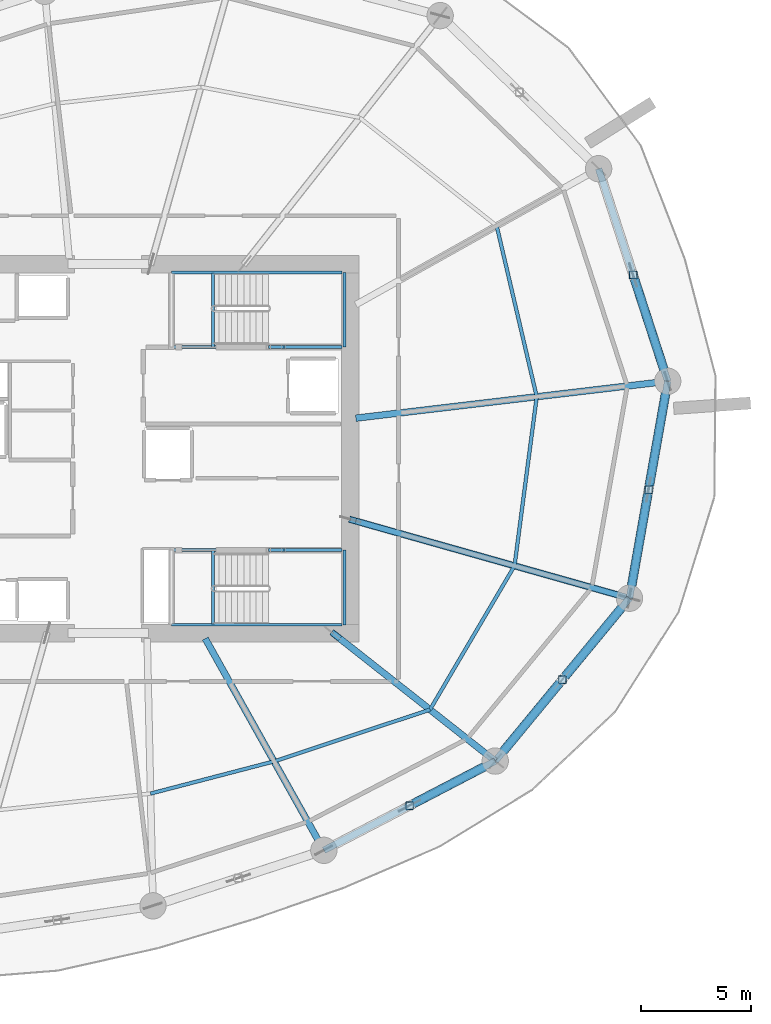
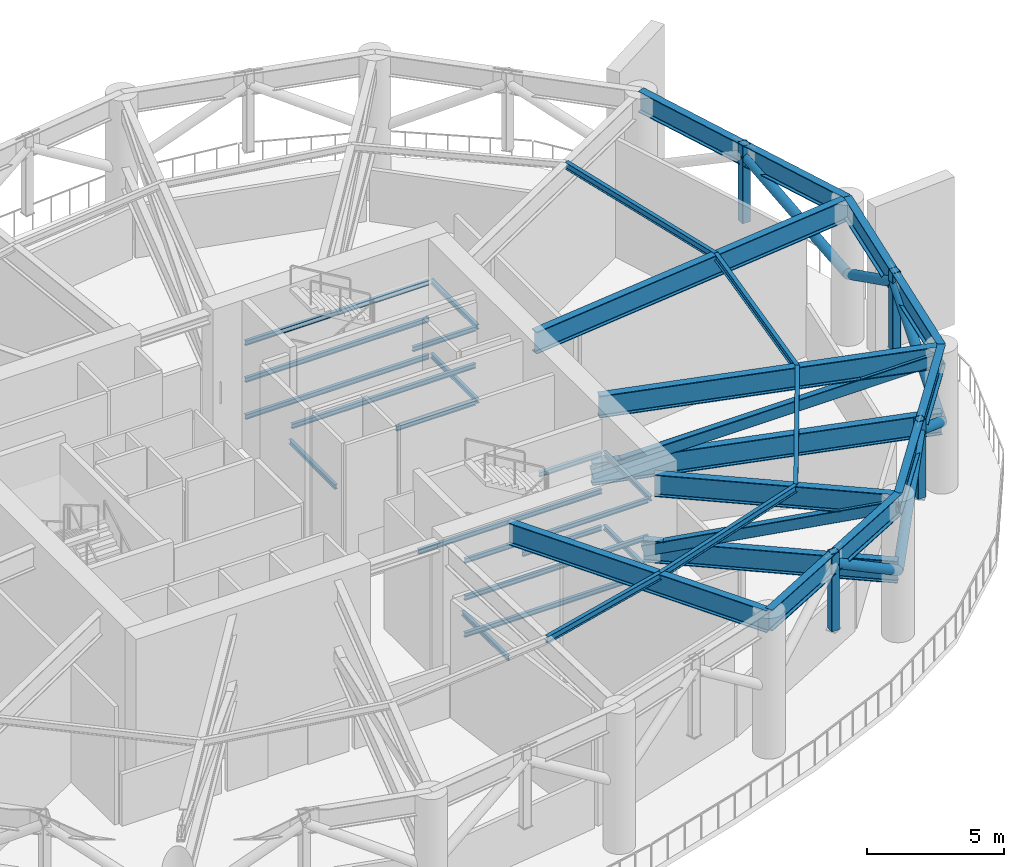
# One storey, part 6 of 19: 33 beams, 12 members.
"""IFC4 building model written with IfcOpenShell, lengths in metres."""

from ifc_helpers import new_model, si_unit, direction, frame, origin, origin_2d, place, context, subcontext, project, spatial, hollow_rectangle, hollow_circle, i_section, extrude, material, material_profile, profile_set, type_object, element, save


model = new_model("IFC4")

# Units and contexts
model_context = context("Model", 3, precision=1e-05, world=origin(), true_north=direction((0.0, 1.0)))
body_context = subcontext(model_context, "Body", "Model", "MODEL_VIEW")
ifc_project = project(units=[si_unit("LENGTHUNIT", "METRE"), si_unit("AREAUNIT", "SQUARE_METRE"), si_unit("VOLUMEUNIT", "CUBIC_METRE"), si_unit("PLANEANGLEUNIT", "RADIAN"), si_unit("MASSUNIT", "GRAM", prefix="KILO")], contexts=[model_context])

# Site, building, storey
site_placement = place(None, origin())
site = spatial("IfcSite", under=ifc_project, at=site_placement, CompositionType="ELEMENT")
building_placement = place(site_placement, origin())
building = spatial("IfcBuilding", under=site, at=building_placement, Name="Kazma Halo Residences", CompositionType="ELEMENT")
storey_placement = place(building_placement, frame((0.0, 0.0, 116.39990234375)))
storey = spatial("IfcBuildingStorey", under=building, at=storey_placement, Name="L29", CompositionType="ELEMENT", Elevation=116.39990234375)

# Beams
ifc_material = material(Name="Steel S355", Category="steel")
ifc_material_profile_1 = material_profile(ifc_material, i_section(OverallWidth=0.30908203125, OverallDepth=0.931884765625, WebThickness=0.02099609375, FlangeThickness=0.034423828125, FilletRadius=0.02392578125, at=origin_2d()), Name="W920x313")
ifc_profile_set_1 = profile_set([ifc_material_profile_1], Name="Steel S355")
beam_type_1 = type_object("IfcBeamType", Name="BM-BELT-W920A", PredefinedType="BEAM", material=ifc_profile_set_1)
beam_1_placement = place(storey_placement, frame((58.242431640625, 23.7109375, 5.814208984375), z_axis=(0.886952216375, 0.46186119762, 0.0), x_axis=(-0.46186119762, 0.886952216375, 0.0)))
element("IfcBeam", 1, at=beam_1_placement, inside=storey, type_object=beam_type_1, Name="L29 perimeter ring beam 13", PredefinedType="BEAM", context=body_context, shape_type="SweptSolid", body=[
    extrude(i_section(OverallWidth=0.30908203125, OverallDepth=0.931884765625, WebThickness=0.02099609375, FlangeThickness=0.034423828125, FilletRadius=0.02392578125, at=origin_2d()), origin(), (0.0, 0.0, 1.0), 8.797607421875),
])
beam_2_placement = place(storey_placement, frame((66.04541015625, 27.774169921875, 5.814208984375), z_axis=(0.636018081662, 0.771674153901, 0.0), x_axis=(-0.771674153901, 0.636018081662, 0.0)))
element("IfcBeam", 2, at=beam_2_placement, inside=storey, type_object=beam_type_1, Name="L29 perimeter ring beam 14", PredefinedType="BEAM", context=body_context, shape_type="SweptSolid", body=[
    extrude(i_section(OverallWidth=0.30908203125, OverallDepth=0.931884765625, WebThickness=0.02099609375, FlangeThickness=0.034423828125, FilletRadius=0.02392578125, at=origin_2d()), origin(), (0.0, 0.0, 1.0), 9.60693359375),
])
beam_3_placement = place(storey_placement, frame((72.155517578125, 35.1875, 5.814208984375), z_axis=(0.1736478634, 0.984807808426, 0.0), x_axis=(-0.984807808426, 0.1736478634, 0.0)))
element("IfcBeam", 3, at=beam_3_placement, inside=storey, type_object=beam_type_1, Name="L29 perimeter ring beam 15", PredefinedType="BEAM", context=body_context, shape_type="SweptSolid", body=[
    extrude(i_section(OverallWidth=0.30908203125, OverallDepth=0.931884765625, WebThickness=0.02099609375, FlangeThickness=0.034423828125, FilletRadius=0.02392578125, at=origin_2d()), origin(), (0.0, 0.0, 1.0), 10.030029296875),
])
beam_4_placement = place(storey_placement, frame((73.897216796875, 45.065185546875, 5.814208984375), z_axis=(-0.30902042344, 0.951055402118, 0.0), x_axis=(-0.951055402118, -0.30902042344, 0.0)))
element("IfcBeam", 4, at=beam_4_placement, inside=storey, type_object=beam_type_1, Name="L29 perimeter ring beam 16", PredefinedType="BEAM", context=body_context, shape_type="SweptSolid", body=[
    extrude(i_section(OverallWidth=0.30908203125, OverallDepth=0.931884765625, WebThickness=0.02099609375, FlangeThickness=0.034423828125, FilletRadius=0.02392578125, at=origin_2d()), origin(), (0.0, 0.0, 1.0), 10.175048828125),
])
ifc_material_profile_2 = material_profile(ifc_material, i_section(OverallWidth=0.300048828125, OverallDepth=0.98193359375, WebThickness=0.0166015625, FlangeThickness=0.032958984375, FilletRadius=0.02587890625, at=origin_2d()), Name="W1000x296")
ifc_profile_set_2 = profile_set([ifc_material_profile_2], Name="Steel S355")
beam_type_2 = type_object("IfcBeamType", Name="BM-OUTR-W1000C", PredefinedType="BEAM", material=ifc_profile_set_2)
beam_5_placement = place(storey_placement, frame((52.84423828125, 33.35009765625, 5.7890625), z_axis=(0.488621537567, -0.872495841266, 0.0), x_axis=(0.872495841266, 0.488621537567, 0.0)))
element("IfcBeam", 5, at=beam_5_placement, inside=storey, type_object=beam_type_2, Name="L29 radial floor beam 13", PredefinedType="BEAM", context=body_context, shape_type="SweptSolid", body=[
    extrude(i_section(OverallWidth=0.300048828125, OverallDepth=0.98193359375, WebThickness=0.0166015625, FlangeThickness=0.032958984375, FilletRadius=0.02587890625, at=origin_2d()), origin(), (0.0, 0.0, 1.0), 11.0478515625),
])
beam_6_placement = place(storey_placement, frame((58.972412109375, 33.35009765625, 5.7890625), z_axis=(0.78531554506, -0.619095707211, 0.0), x_axis=(0.619095707211, 0.78531554506, 0.0)))
element("IfcBeam", 6, at=beam_6_placement, inside=storey, type_object=beam_type_2, Name="L29 radial floor beam 14", PredefinedType="BEAM", context=body_context, shape_type="SweptSolid", body=[
    extrude(i_section(OverallWidth=0.300048828125, OverallDepth=0.98193359375, WebThickness=0.0166015625, FlangeThickness=0.032958984375, FilletRadius=0.02587890625, at=origin_2d()), origin(), (0.0, 0.0, 1.0), 9.006591796875),
])
beam_7_placement = place(storey_placement, frame((59.699951171875, 38.7001953125, 5.7890625), z_axis=(0.962458016603, -0.271430592005, 0.0), x_axis=(0.271430592005, 0.962458016603, 0.0)))
element("IfcBeam", 7, at=beam_7_placement, inside=storey, type_object=beam_type_2, Name="L29 radial floor beam 15", PredefinedType="BEAM", context=body_context, shape_type="SweptSolid", body=[
    extrude(i_section(OverallWidth=0.300048828125, OverallDepth=0.98193359375, WebThickness=0.0166015625, FlangeThickness=0.032958984375, FilletRadius=0.02587890625, at=origin_2d()), origin(), (0.0, 0.0, 1.0), 12.94140625),
])
beam_8_placement = place(storey_placement, frame((59.699951171875, 43.384765625, 5.7890625), z_axis=(0.993067944202, 0.117541729604, 0.0), x_axis=(-0.117541729604, 0.993067944202, 0.0)))
element("IfcBeam", 8, at=beam_8_placement, inside=storey, type_object=beam_type_2, Name="L29 radial floor beam 16", PredefinedType="BEAM", context=body_context, shape_type="SweptSolid", body=[
    extrude(i_section(OverallWidth=0.300048828125, OverallDepth=0.98193359375, WebThickness=0.0166015625, FlangeThickness=0.032958984375, FilletRadius=0.02587890625, at=origin_2d()), origin(), (0.0, 0.0, 1.0), 14.29638671875),
])
beam_9_placement = place(storey_placement, frame((58.6552734375, 33.60009765625, 2.820068359375), z_axis=(0.785316222949, -0.619094847315, 0.0), x_axis=(0.619094847315, 0.785316222949, 0.0)))
element("IfcBeam", 9, at=beam_9_placement, inside=storey, type_object=beam_type_2, Name="L29 radial outrigger bottom chord 07", PredefinedType="BEAM", context=body_context, shape_type="SweptSolid", body=[
    extrude(i_section(OverallWidth=0.300048828125, OverallDepth=0.98193359375, WebThickness=0.0166015625, FlangeThickness=0.032958984375, FilletRadius=0.02587890625, at=origin_2d()), origin(), (0.0, 0.0, 1.0), 9.410400390625),
])
beam_10_placement = place(storey_placement, frame((59.449951171875, 38.770751953125, 2.820068359375), z_axis=(0.962456985326, -0.271434248754, 0.0), x_axis=(0.271434248754, 0.962456985326, 0.0)))
element("IfcBeam", 10, at=beam_10_placement, inside=storey, type_object=beam_type_2, Name="L29 radial outrigger bottom chord 08", PredefinedType="BEAM", context=body_context, shape_type="SweptSolid", body=[
    extrude(i_section(OverallWidth=0.300048828125, OverallDepth=0.98193359375, WebThickness=0.0166015625, FlangeThickness=0.032958984375, FilletRadius=0.02587890625, at=origin_2d()), origin(), (0.0, 0.0, 1.0), 13.201171875),
])
ifc_material_profile_3 = material_profile(ifc_material, i_section(OverallWidth=0.1650390625, OverallDepth=0.31005859375, WebThickness=0.005859375, FlangeThickness=0.009765625, FilletRadius=0.011962890625, at=origin_2d()), Name="W310x38.7")
ifc_profile_set_3 = profile_set([ifc_material_profile_3], Name="Steel S355")
beam_type_3 = type_object("IfcBeamType", Name="BM-SEC-W310B", PredefinedType="JOIST", material=ifc_profile_set_3)
beam_11_placement = place(storey_placement, frame((50.35302734375, 26.29345703125, 6.125), z_axis=(0.967651177663, 0.252291891206, 0.0), x_axis=(-0.252291891206, 0.967651177663, 0.0)))
element("IfcBeam", 11, at=beam_11_placement, inside=storey, type_object=beam_type_3, Name="L29 circumferential floor joist 12", PredefinedType="JOIST", context=body_context, shape_type="SweptSolid", body=[
    extrude(i_section(OverallWidth=0.1650390625, OverallDepth=0.31005859375, WebThickness=0.005859375, FlangeThickness=0.009765625, FilletRadius=0.011962890625, at=origin_2d()), origin(), (0.0, 0.0, 1.0), 5.81005859375),
])
beam_12_placement = place(storey_placement, frame((55.97509765625, 27.75927734375, 6.125), z_axis=(0.949077463311, 0.315042804448, 0.0), x_axis=(-0.315042804448, 0.949077463311, 0.0)))
element("IfcBeam", 12, at=beam_12_placement, inside=storey, type_object=beam_type_3, Name="L29 circumferential floor joist 13", PredefinedType="JOIST", context=body_context, shape_type="SweptSolid", body=[
    extrude(i_section(OverallWidth=0.1650390625, OverallDepth=0.31005859375, WebThickness=0.005859375, FlangeThickness=0.009765625, FilletRadius=0.011962890625, at=origin_2d()), origin(), (0.0, 0.0, 1.0), 7.48046875),
])
beam_13_placement = place(storey_placement, frame((63.07470703125, 30.115966796875, 6.125), z_axis=(0.506850129909, 0.862034190628, 0.0), x_axis=(-0.862034190628, 0.506850129909, 0.0)))
element("IfcBeam", 13, at=beam_13_placement, inside=storey, type_object=beam_type_3, Name="L29 circumferential floor joist 14", PredefinedType="JOIST", context=body_context, shape_type="SweptSolid", body=[
    extrude(i_section(OverallWidth=0.1650390625, OverallDepth=0.31005859375, WebThickness=0.005859375, FlangeThickness=0.009765625, FilletRadius=0.011962890625, at=origin_2d()), origin(), (0.0, 0.0, 1.0), 7.5947265625),
])
beam_14_placement = place(storey_placement, frame((66.924072265625, 36.662841796875, 6.125), z_axis=(0.130144534368, 0.991495032854, 0.0), x_axis=(-0.991495032854, 0.130144534368, 0.0)))
element("IfcBeam", 14, at=beam_14_placement, inside=storey, type_object=beam_type_3, Name="L29 circumferential floor joist 15", PredefinedType="JOIST", context=body_context, shape_type="SweptSolid", body=[
    extrude(i_section(OverallWidth=0.1650390625, OverallDepth=0.31005859375, WebThickness=0.005859375, FlangeThickness=0.009765625, FilletRadius=0.011962890625, at=origin_2d()), origin(), (0.0, 0.0, 1.0), 7.762451171875),
])
beam_15_placement = place(storey_placement, frame((67.934326171875, 44.359375, 6.125), z_axis=(-0.228143824758, 0.973627441697, 0.0), x_axis=(-0.973627441697, -0.228143824758, 0.0)))
element("IfcBeam", 15, at=beam_15_placement, inside=storey, type_object=beam_type_3, Name="L29 circumferential floor joist 16", PredefinedType="JOIST", context=body_context, shape_type="SweptSolid", body=[
    extrude(i_section(OverallWidth=0.1650390625, OverallDepth=0.31005859375, WebThickness=0.005859375, FlangeThickness=0.009765625, FilletRadius=0.011962890625, at=origin_2d()), origin(), (0.0, 0.0, 1.0), 7.993896484375),
])
ifc_material_profile_4 = material_profile(ifc_material, i_section(OverallWidth=0.133056640625, OverallDepth=0.20703125, WebThickness=0.005859375, FlangeThickness=0.00830078125, FilletRadius=0.010009765625, at=origin_2d()), Name="W200x26.6")
ifc_profile_set_4 = profile_set([ifc_material_profile_4], Name="Steel S355")
beam_type_4 = type_object("IfcBeamType", Name="BM-TRIM-W200", PredefinedType="BEAM", material=ifc_profile_set_4)
for number, where, z_axis, x_axis, name in (
    (16, (53.199951171875, 46.6201171875, -0.389892578125), (0.0, 1.0, 0.0), (-1.0, 0.0, 0.0), "L29 ST-02 floor landing support beam"),
    (17, (53.199951171875, 34.0, -0.389892578125), (0.0, 1.0, 0.0), (-1.0, 0.0, 0.0), "L29 ST-03 floor landing support beam"),
):
    element("IfcBeam", number, at=place(storey_placement, frame(where, z_axis=z_axis, x_axis=x_axis)), inside=storey, type_object=beam_type_4, Name=name, PredefinedType="BEAM", context=body_context, shape_type="SweptSolid", body=[
        extrude(i_section(OverallWidth=0.133056640625, OverallDepth=0.20703125, WebThickness=0.005859375, FlangeThickness=0.00830078125, FilletRadius=0.010009765625, at=origin_2d()), origin(), (0.0, 0.0, 1.0), 3.3798828125),
    ])
beam_16_placement = place(storey_placement, frame((51.31005859375, 50.02001953125, 1.34521484375), z_axis=(1.0, 0.0, 0.0), x_axis=(0.0, 1.0, 0.0)))
element("IfcBeam", 18, at=beam_16_placement, inside=storey, type_object=beam_type_4, Name="L29 ST-02 landing north wall ledger", PredefinedType="BEAM", context=body_context, shape_type="SweptSolid", body=[
    extrude(i_section(OverallWidth=0.133056640625, OverallDepth=0.20703125, WebThickness=0.005859375, FlangeThickness=0.00830078125, FilletRadius=0.010009765625, at=origin_2d()), origin(), (0.0, 0.0, 1.0), 7.760009765625),
])
beam_17_placement = place(storey_placement, frame((55.719970703125, 46.6201171875, 1.34521484375), z_axis=(1.0, 0.0, 0.0), x_axis=(0.0, 1.0, 0.0)))
element("IfcBeam", 19, at=beam_17_placement, inside=storey, type_object=beam_type_4, Name="L29 ST-02 landing south wall ledger", PredefinedType="BEAM", context=body_context, shape_type="SweptSolid", body=[
    extrude(i_section(OverallWidth=0.133056640625, OverallDepth=0.20703125, WebThickness=0.005859375, FlangeThickness=0.00830078125, FilletRadius=0.010009765625, at=origin_2d()), origin(), (0.0, 0.0, 1.0), 3.35009765625),
])
beam_18_placement = place(storey_placement, frame((59.18994140625, 46.6201171875, 1.34521484375), z_axis=(0.0, 1.0, 0.0), x_axis=(-1.0, 0.0, 0.0)))
element("IfcBeam", 20, at=beam_18_placement, inside=storey, type_object=beam_type_4, Name="L29 ST-02 landing end wall ledger", PredefinedType="BEAM", context=body_context, shape_type="SweptSolid", body=[
    extrude(i_section(OverallWidth=0.133056640625, OverallDepth=0.20703125, WebThickness=0.005859375, FlangeThickness=0.00830078125, FilletRadius=0.010009765625, at=origin_2d()), origin(), (0.0, 0.0, 1.0), 3.39990234375),
])
for number, where, z_axis, x_axis, name in (
    (21, (51.31005859375, 50.02001953125, 2.9951171875), (1.0, 0.0, 0.0), (0.0, 1.0, 0.0), "L29 ST-02 landing north wall ledger"),
    (22, (51.31005859375, 46.6201171875, 2.9951171875), (1.0, 0.0, 0.0), (0.0, 1.0, 0.0), "L29 ST-02 landing south wall ledger"),
    (23, (51.31005859375, 50.02001953125, 4.64501953125), (1.0, 0.0, 0.0), (0.0, 1.0, 0.0), "L29 ST-02 landing north wall ledger"),
):
    element("IfcBeam", number, at=place(storey_placement, frame(where, z_axis=z_axis, x_axis=x_axis)), inside=storey, type_object=beam_type_4, Name=name, PredefinedType="BEAM", context=body_context, shape_type="SweptSolid", body=[
        extrude(i_section(OverallWidth=0.133056640625, OverallDepth=0.20703125, WebThickness=0.005859375, FlangeThickness=0.00830078125, FilletRadius=0.010009765625, at=origin_2d()), origin(), (0.0, 0.0, 1.0), 7.760009765625),
    ])
beam_19_placement = place(storey_placement, frame((56.419921875, 46.6201171875, 4.64501953125), z_axis=(1.0, 0.0, 0.0), x_axis=(0.0, 1.0, 0.0)))
element("IfcBeam", 24, at=beam_19_placement, inside=storey, type_object=beam_type_4, Name="L29 ST-02 landing south wall ledger", PredefinedType="BEAM", context=body_context, shape_type="SweptSolid", body=[
    extrude(i_section(OverallWidth=0.133056640625, OverallDepth=0.20703125, WebThickness=0.005859375, FlangeThickness=0.00830078125, FilletRadius=0.010009765625, at=origin_2d()), origin(), (0.0, 0.0, 1.0), 2.650146484375),
])
beam_20_placement = place(storey_placement, frame((59.18994140625, 46.6201171875, 4.64501953125), z_axis=(0.0, 1.0, 0.0), x_axis=(-1.0, 0.0, 0.0)))
element("IfcBeam", 25, at=beam_20_placement, inside=storey, type_object=beam_type_4, Name="L29 ST-02 landing end wall ledger", PredefinedType="BEAM", context=body_context, shape_type="SweptSolid", body=[
    extrude(i_section(OverallWidth=0.133056640625, OverallDepth=0.20703125, WebThickness=0.005859375, FlangeThickness=0.00830078125, FilletRadius=0.010009765625, at=origin_2d()), origin(), (0.0, 0.0, 1.0), 3.39990234375),
])
beam_21_placement = place(storey_placement, frame((51.31005859375, 33.97998046875, 1.34521484375), z_axis=(1.0, 0.0, 0.0), x_axis=(0.0, 1.0, 0.0)))
element("IfcBeam", 26, at=beam_21_placement, inside=storey, type_object=beam_type_4, Name="L29 ST-03 landing south wall ledger", PredefinedType="BEAM", context=body_context, shape_type="SweptSolid", body=[
    extrude(i_section(OverallWidth=0.133056640625, OverallDepth=0.20703125, WebThickness=0.005859375, FlangeThickness=0.00830078125, FilletRadius=0.010009765625, at=origin_2d()), origin(), (0.0, 0.0, 1.0), 7.760009765625),
])
beam_22_placement = place(storey_placement, frame((55.719970703125, 37.3798828125, 1.34521484375), z_axis=(1.0, 0.0, 0.0), x_axis=(0.0, 1.0, 0.0)))
element("IfcBeam", 27, at=beam_22_placement, inside=storey, type_object=beam_type_4, Name="L29 ST-03 landing north wall ledger", PredefinedType="BEAM", context=body_context, shape_type="SweptSolid", body=[
    extrude(i_section(OverallWidth=0.133056640625, OverallDepth=0.20703125, WebThickness=0.005859375, FlangeThickness=0.00830078125, FilletRadius=0.010009765625, at=origin_2d()), origin(), (0.0, 0.0, 1.0), 3.35009765625),
])
beam_23_placement = place(storey_placement, frame((59.18994140625, 33.97998046875, 1.34521484375), z_axis=(0.0, 1.0, 0.0), x_axis=(-1.0, 0.0, 0.0)))
element("IfcBeam", 28, at=beam_23_placement, inside=storey, type_object=beam_type_4, Name="L29 ST-03 landing end wall ledger", PredefinedType="BEAM", context=body_context, shape_type="SweptSolid", body=[
    extrude(i_section(OverallWidth=0.133056640625, OverallDepth=0.20703125, WebThickness=0.005859375, FlangeThickness=0.00830078125, FilletRadius=0.010009765625, at=origin_2d()), origin(), (0.0, 0.0, 1.0), 3.39990234375),
])
for number, where, z_axis, x_axis, name in (
    (29, (51.31005859375, 33.97998046875, 2.9951171875), (1.0, 0.0, 0.0), (0.0, 1.0, 0.0), "L29 ST-03 landing south wall ledger"),
    (30, (51.31005859375, 37.3798828125, 2.9951171875), (1.0, 0.0, 0.0), (0.0, 1.0, 0.0), "L29 ST-03 landing north wall ledger"),
    (31, (51.31005859375, 33.97998046875, 4.64501953125), (1.0, 0.0, 0.0), (0.0, 1.0, 0.0), "L29 ST-03 landing south wall ledger"),
):
    element("IfcBeam", number, at=place(storey_placement, frame(where, z_axis=z_axis, x_axis=x_axis)), inside=storey, type_object=beam_type_4, Name=name, PredefinedType="BEAM", context=body_context, shape_type="SweptSolid", body=[
        extrude(i_section(OverallWidth=0.133056640625, OverallDepth=0.20703125, WebThickness=0.005859375, FlangeThickness=0.00830078125, FilletRadius=0.010009765625, at=origin_2d()), origin(), (0.0, 0.0, 1.0), 7.760009765625),
    ])
beam_24_placement = place(storey_placement, frame((56.419921875, 37.3798828125, 4.64501953125), z_axis=(1.0, 0.0, 0.0), x_axis=(0.0, 1.0, 0.0)))
element("IfcBeam", 32, at=beam_24_placement, inside=storey, type_object=beam_type_4, Name="L29 ST-03 landing north wall ledger", PredefinedType="BEAM", context=body_context, shape_type="SweptSolid", body=[
    extrude(i_section(OverallWidth=0.133056640625, OverallDepth=0.20703125, WebThickness=0.005859375, FlangeThickness=0.00830078125, FilletRadius=0.010009765625, at=origin_2d()), origin(), (0.0, 0.0, 1.0), 2.650146484375),
])
beam_25_placement = place(storey_placement, frame((59.18994140625, 33.97998046875, 4.64501953125), z_axis=(0.0, 1.0, 0.0), x_axis=(-1.0, 0.0, 0.0)))
element("IfcBeam", 33, at=beam_25_placement, inside=storey, type_object=beam_type_4, Name="L29 ST-03 landing end wall ledger", PredefinedType="BEAM", context=body_context, shape_type="SweptSolid", body=[
    extrude(i_section(OverallWidth=0.133056640625, OverallDepth=0.20703125, WebThickness=0.005859375, FlangeThickness=0.00830078125, FilletRadius=0.010009765625, at=origin_2d()), origin(), (0.0, 0.0, 1.0), 3.39990234375),
])

# Members
ifc_material_profile_5 = material_profile(ifc_material, hollow_rectangle(XDim=0.300048828125, YDim=0.5, WallThickness=0.02001953125, InnerFilletRadius=0.02001953125, OuterFilletRadius=0.0400390625, at=origin_2d()), Name="RHS500x300x20")
ifc_profile_set_5 = profile_set([ifc_material_profile_5], Name="Steel S355")
member_type_1 = type_object("IfcMemberType", Name="MBR-OUTR-RHS500", PredefinedType="BRACE", material=ifc_profile_set_5)
member_1_placement = place(storey_placement, frame((58.6552734375, 33.60009765625, 2.820068359375), z_axis=(0.74958691827, -0.590928068407, 0.298200385524), x_axis=(0.619094847315, 0.785316222949, 0.0)))
element("IfcMember", 34, at=member_1_placement, inside=storey, type_object=member_type_1, Name="L29 radial outrigger truss brace 07", PredefinedType="BRACE", context=body_context, shape_type="SweptSolid", body=[
    extrude(hollow_rectangle(XDim=0.300048828125, YDim=0.5, WallThickness=0.02001953125, InnerFilletRadius=0.02001953125, OuterFilletRadius=0.0400390625, at=origin_2d()), origin(), (0.0, 0.0, 1.0), 9.85888671875),
])
member_2_placement = place(storey_placement, frame((59.449951171875, 38.770751953125, 2.820068359375), z_axis=(0.939442319802, -0.264943601855, 0.217377587623), x_axis=(0.271434248754, 0.962456985326, 0.0)))
element("IfcMember", 35, at=member_2_placement, inside=storey, type_object=member_type_1, Name="L29 radial outrigger truss brace 08", PredefinedType="BRACE", context=body_context, shape_type="SweptSolid", body=[
    extrude(hollow_rectangle(XDim=0.300048828125, YDim=0.5, WallThickness=0.02001953125, InnerFilletRadius=0.02001953125, OuterFilletRadius=0.0400390625, at=origin_2d()), origin(), (0.0, 0.0, 1.0), 13.524658203125),
])
ifc_material_profile_6 = material_profile(ifc_material, hollow_rectangle(XDim=0.35009765625, YDim=0.35009765625, WallThickness=0.01611328125, InnerFilletRadius=0.01611328125, OuterFilletRadius=0.031982421875, at=origin_2d()), Name="SHS350x350x16")
ifc_profile_set_6 = profile_set([ifc_material_profile_6], Name="Steel S355")
member_type_2 = type_object("IfcMemberType", Name="MBR-POST-SHS350", PredefinedType="STRUT", material=ifc_profile_set_6)
for number, where, z_axis, x_axis, name in (
    (36, (62.14404296875, 25.742431640625, 2.820068359375), (0.0, 0.0, 1.0), (1.0, 0.0, 0.0), "L29 belt-truss web post 13"),
    (37, (69.100341796875, 31.480712890625, 2.820068359375), (0.0, 0.0, 1.0), (1.0, 0.0, 0.0), "L29 belt-truss web post 14"),
    (38, (73.0263671875, 40.126220703125, 2.820068359375), (0.0, 0.0, 1.0), (1.0, 0.0, 0.0), "L29 belt-truss web post 15"),
    (39, (72.3251953125, 49.903564453125, 2.820068359375), (0.0, 0.0, 1.0), (1.0, 0.0, 0.0), "L29 belt-truss web post 16"),
):
    element("IfcMember", number, at=place(storey_placement, frame(where, z_axis=z_axis, x_axis=x_axis)), inside=storey, type_object=member_type_2, Name=name, PredefinedType="STRUT", context=body_context, shape_type="SweptSolid", body=[
        extrude(hollow_rectangle(XDim=0.35009765625, YDim=0.35009765625, WallThickness=0.01611328125, InnerFilletRadius=0.01611328125, OuterFilletRadius=0.031982421875, at=origin_2d()), origin(), (0.0, 0.0, 1.0), 3.4599609375),
    ])
ifc_material_profile_7 = material_profile(ifc_material, hollow_circle(Radius=0.203125, WallThickness=0.01611328125, at=origin_2d()), Name="CHS406.4x16")
ifc_profile_set_7 = profile_set([ifc_material_profile_7], Name="Steel S355")
member_type_3 = type_object("IfcMemberType", Name="MBR-WIND-CHS406", PredefinedType="BRACE", material=ifc_profile_set_7)
member_3_placement = place(storey_placement, frame((66.04541015625, 27.774169921875, 2.820068359375), z_axis=(-0.737396002363, -0.384018118377, 0.555677262857), x_axis=(0.46189439722, -0.886934927611, 0.0)))
element("IfcMember", 40, at=member_3_placement, inside=storey, type_object=member_type_3, Name="L29 belt-truss chevron diagonal 13B", PredefinedType="BRACE", context=body_context, shape_type="SweptSolid", body=[
    extrude(hollow_circle(Radius=0.203125, WallThickness=0.01611328125, at=origin_2d()), origin(), (0.0, 0.0, 1.0), 5.290771484375),
])
member_4_placement = place(storey_placement, frame((66.04541015625, 27.774169921875, 2.820068359375), z_axis=(0.542467557473, 0.658174894714, 0.522048615607), x_axis=(-0.771676346625, 0.636015421243, 0.0)))
element("IfcMember", 41, at=member_4_placement, inside=storey, type_object=member_type_3, Name="L29 belt-truss chevron diagonal 14A", PredefinedType="BRACE", context=body_context, shape_type="SweptSolid", body=[
    extrude(hollow_circle(Radius=0.203125, WallThickness=0.01611328125, at=origin_2d()), origin(), (0.0, 0.0, 1.0), 5.631591796875),
])
member_5_placement = place(storey_placement, frame((72.155517578125, 35.1875, 2.820068359375), z_axis=(-0.54248267294, -0.658183987793, 0.522021443786), x_axis=(0.771671961324, -0.636020741883, 0.0)))
element("IfcMember", 42, at=member_5_placement, inside=storey, type_object=member_type_3, Name="L29 belt-truss chevron diagonal 14B", PredefinedType="BRACE", context=body_context, shape_type="SweptSolid", body=[
    extrude(hollow_circle(Radius=0.203125, WallThickness=0.01611328125, at=origin_2d()), origin(), (0.0, 0.0, 1.0), 5.6318359375),
])
for number, where, z_axis, x_axis, name in (
    (43, (72.155517578125, 35.1875, 2.820068359375), (0.149807093736, 0.849578833528, 0.505740684826), (-0.984807074435, 0.173652026027, 0.0), "L29 belt-truss chevron diagonal 15A"),
    (44, (73.897216796875, 45.065185546875, 2.820068359375), (-0.149801748673, -0.849590517427, 0.505722640181), (0.984808542364, -0.17364370097, 0.0), "L29 belt-truss chevron diagonal 15B"),
):
    element("IfcMember", number, at=place(storey_placement, frame(where, z_axis=z_axis, x_axis=x_axis)), inside=storey, type_object=member_type_3, Name=name, PredefinedType="BRACE", context=body_context, shape_type="SweptSolid", body=[
        extrude(hollow_circle(Radius=0.203125, WallThickness=0.01611328125, at=origin_2d()), origin(), (0.0, 0.0, 1.0), 5.813232421875),
    ])
member_6_placement = place(storey_placement, frame((73.897216796875, 45.065185546875, 2.820068359375), z_axis=(-0.267544050279, 0.823448980965, 0.500351833121), x_axis=(-0.951060162631, -0.309005771883, 0.0)))
element("IfcMember", 45, at=member_6_placement, inside=storey, type_object=member_type_3, Name="L29 belt-truss chevron diagonal 16A", PredefinedType="BRACE", context=body_context, shape_type="SweptSolid", body=[
    extrude(hollow_circle(Radius=0.203125, WallThickness=0.01611328125, at=origin_2d()), origin(), (0.0, 0.0, 1.0), 5.875732421875),
])

save(model, "model.ifc")
